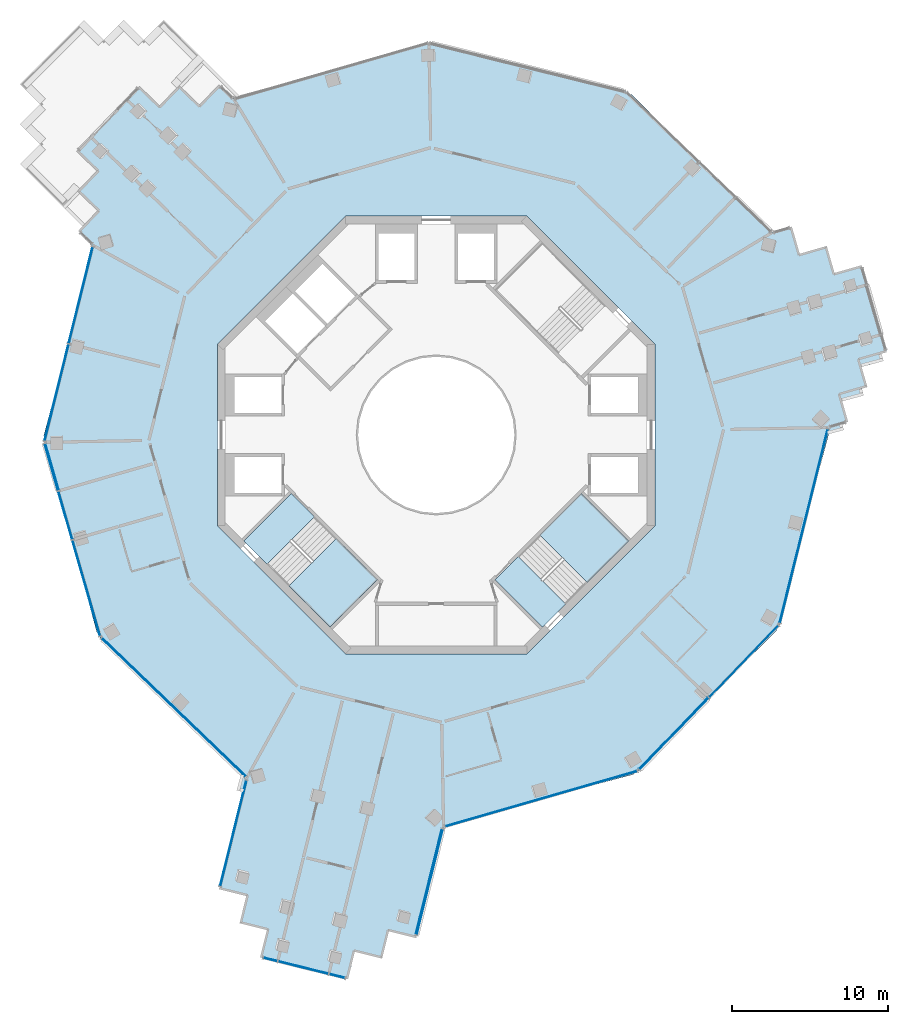
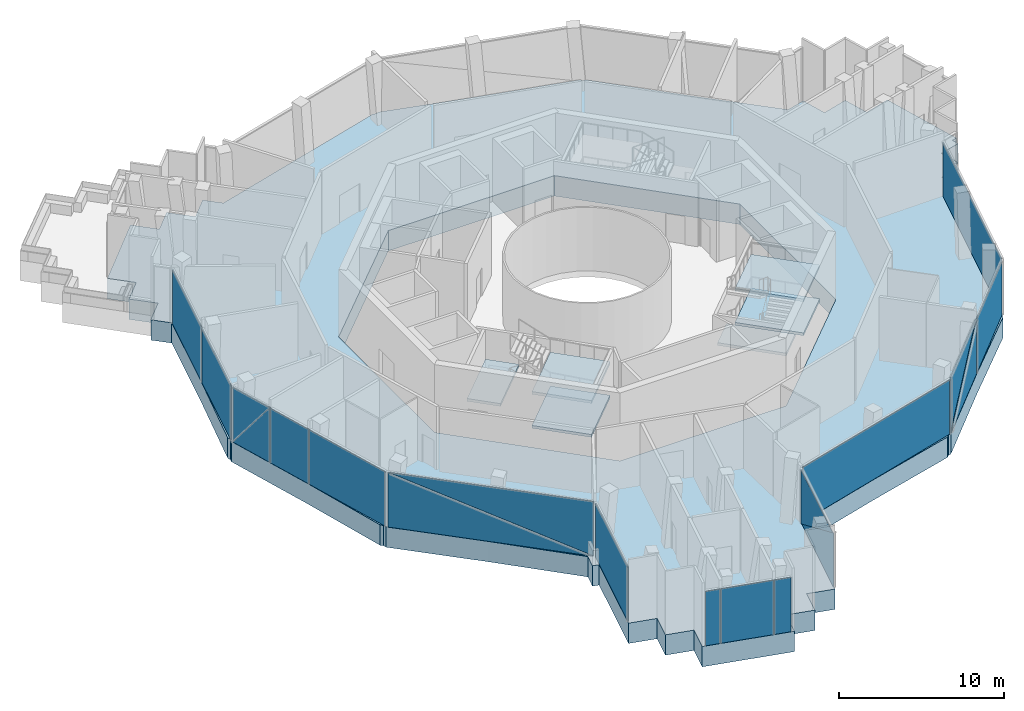
# One storey, part 6 of 17: 19 plates, 7 slabs, 11 elements without a shape of their own.
"""IFC4 building model written with IfcOpenShell, lengths in metres."""

from ifc_helpers import new_model, si_unit, direction, frame, origin, origin_2d, place, context, subcontext, project, spatial, polyline, rectangle, outline, extrude, material, layer, layer_set, type_object, element, aggregate, save


model = new_model("IFC4")

# Units and contexts
model_context = context("Model", 3, precision=1e-05, world=origin(), true_north=direction((0.0, 1.0)))
body_context = subcontext(model_context, "Body", "Model", "MODEL_VIEW")
ifc_project = project(units=[si_unit("LENGTHUNIT", "METRE"), si_unit("AREAUNIT", "SQUARE_METRE"), si_unit("VOLUMEUNIT", "CUBIC_METRE"), si_unit("PLANEANGLEUNIT", "RADIAN"), si_unit("MASSUNIT", "GRAM", prefix="KILO")], contexts=[model_context])

# Site, building, storey
site_placement = place(None, origin())
site = spatial("IfcSite", under=ifc_project, at=site_placement, CompositionType="ELEMENT")
building_placement = place(site_placement, origin())
building = spatial("IfcBuilding", under=site, at=building_placement, Name="Verdalira Terraces Hotel", CompositionType="ELEMENT")
storey_placement = place(building_placement, frame((0.0, 0.0, 222.0)))
storey = spatial("IfcBuildingStorey", under=building, at=storey_placement, Name="L54", CompositionType="ELEMENT", Elevation=222.0)

# Curtain wall, plates
ifc_material_1 = material(Name="Clear glass", Category="glass")
ifc_layer_1 = layer(ifc_material_1, 0.239990234375)
ifc_layer_set_1 = layer_set([ifc_layer_1], Name="CW5 curtain wall")
curtain_wall_type = type_object("IfcCurtainWallType", Name="CW5 curtain wall", PredefinedType="NOTDEFINED", material=ifc_layer_set_1)
curtain_wall_1_placement = place(storey_placement, origin())
curtain_wall_1 = element("IfcCurtainWall", 1, at=curtain_wall_1_placement, inside=storey, type_object=curtain_wall_type, Name="CW5 curtain wall L54 edge 11", PredefinedType="NOTDEFINED")
ifc_material_2 = material(Name="Clear glass", Category="glass")
ifc_layer_2 = layer(ifc_material_2, 0.0439453125)
ifc_layer_set_2 = layer_set([ifc_layer_2], Name="CW5 glass unit 44")
plate_type = type_object("IfcPlateType", Name="CW5 glass unit 44", PredefinedType="CURTAIN_PANEL", material=ifc_layer_set_2)
plate_1_placement = place(storey_placement, frame((-22.745361, 8.940918, 0.0), z_axis=(0.0, 0.0, 1.0), x_axis=(-0.240566872, -0.970632567, 0.0)))
plate_1 = element("IfcPlate", 2, at=plate_1_placement, type_object=plate_type, Name="CW5 glass unit", PredefinedType="CURTAIN_PANEL", context=body_context, shape_type="SweptSolid", body=[
    extrude(rectangle(XDim=6.343018, YDim=0.043945, at=origin_2d()), origin(), (0.0, 0.0, 1.0), 4.014893),
])
plate_2_placement = place(storey_placement, frame((-24.289551, 2.710449, 0.0), z_axis=(0.0, 0.0, 1.0), x_axis=(-0.240566872, -0.970632567, 0.0)))
plate_2 = element("IfcPlate", 3, at=plate_2_placement, type_object=plate_type, Name="CW5 glass unit", PredefinedType="CURTAIN_PANEL", context=body_context, shape_type="SweptSolid", body=[
    extrude(rectangle(XDim=6.354736, YDim=0.043945, at=origin_2d()), origin(), (0.0, 0.0, 1.0), 4.014893),
])
aggregate(curtain_wall_1, [plate_1, plate_2])

curtain_wall_2_placement = place(storey_placement, origin())
curtain_wall_2 = element("IfcCurtainWall", 4, at=curtain_wall_2_placement, inside=storey, type_object=curtain_wall_type, Name="CW5 curtain wall L54 edge 12", PredefinedType="NOTDEFINED")
plate_3_placement = place(storey_placement, frame((-24.599365, -2.056396, 2.007568), z_axis=(-0.960875897, -0.276979261, 0.0), x_axis=(0.276979261, -0.960875897, 0.0)))
plate_3 = element("IfcPlate", 5, at=plate_3_placement, type_object=plate_type, Name="CW5 glass unit", PredefinedType="CURTAIN_PANEL", context=body_context, shape_type="SweptSolid", body=[
    extrude(outline(polyline([(-1.552246, -2.007324), (1.552246, -2.007324), (1.552246, 2.007324), (-1.552246, -2.007324)])), origin(), (0.0, 0.0, 1.0), 0.043945),
])
plate_4_placement = place(storey_placement, frame((-24.556152, -2.043945, 2.007568), z_axis=(-0.960875897, -0.276979261, 0.0), x_axis=(0.276979261, -0.960875897, 0.0)))
plate_4 = element("IfcPlate", 6, at=plate_4_placement, type_object=plate_type, Name="CW5 glass unit", PredefinedType="CURTAIN_PANEL", context=body_context, shape_type="SweptSolid", body=[
    extrude(outline(polyline([(-1.552246, -2.007324), (1.552246, 2.007324), (-1.552246, 2.007324), (-1.552246, -2.007324)])), origin(), (0.0, 0.0, 1.0), 0.043945),
])
plate_5_placement = place(storey_placement, frame((-23.730469, -5.149414, 0.0), z_axis=(0.0, 0.0, 1.0), x_axis=(0.276979261, -0.960875897, 0.0)))
plate_5 = element("IfcPlate", 7, at=plate_5_placement, type_object=plate_type, Name="CW5 glass unit", PredefinedType="CURTAIN_PANEL", context=body_context, shape_type="SweptSolid", body=[
    extrude(rectangle(XDim=3.179932, YDim=0.043945, at=origin_2d()), origin(), (0.0, 0.0, 1.0), 4.014893),
])
plate_6_placement = place(storey_placement, frame((-22.390625, -9.797363, 0.0), z_axis=(0.0, 0.0, 1.0), x_axis=(0.276979261, -0.960875897, 0.0)))
plate_6 = element("IfcPlate", 8, at=plate_6_placement, type_object=plate_type, Name="CW5 glass unit", PredefinedType="CURTAIN_PANEL", context=body_context, shape_type="SweptSolid", body=[
    extrude(rectangle(XDim=6.354736, YDim=0.043945, at=origin_2d()), origin(), (0.0, 0.0, 1.0), 4.014893),
])
aggregate(curtain_wall_2, [plate_3, plate_4, plate_5, plate_6])

curtain_wall_3_placement = place(storey_placement, origin())
curtain_wall_3 = element("IfcCurtainWall", 9, at=curtain_wall_3_placement, inside=storey, type_object=curtain_wall_type, Name="CW5 curtain wall L54 edge 13", PredefinedType="NOTDEFINED")
plate_7_placement = place(storey_placement, frame((-16.795166, -17.431885, 2.007568), z_axis=(-0.693653306, -0.720309025, 0.0), x_axis=(0.720309025, -0.693653306, 0.0)))
plate_7 = element("IfcPlate", 10, at=plate_7_placement, type_object=plate_type, Name="CW5 glass unit", PredefinedType="CURTAIN_PANEL", context=body_context, shape_type="SweptSolid", body=[
    extrude(outline(polyline([(-6.383789, -2.007324), (6.383789, -2.007324), (-6.383789, 2.007324), (-6.383789, -2.007324)])), origin(), (0.0, 0.0, 1.0), 0.043945),
])
plate_8_placement = place(storey_placement, frame((-16.763916, -17.399658, 2.007568), z_axis=(-0.693653306, -0.720309025, 0.0), x_axis=(0.720309025, -0.693653306, 0.0)))
plate_8 = element("IfcPlate", 11, at=plate_8_placement, type_object=plate_type, Name="CW5 glass unit", PredefinedType="CURTAIN_PANEL", context=body_context, shape_type="SweptSolid", body=[
    extrude(outline(polyline([(6.383789, -2.007324), (6.383789, 2.007324), (-6.383789, 2.007324), (6.383789, -2.007324)])), origin(), (0.0, 0.0, 1.0), 0.043945),
])
aggregate(curtain_wall_3, [plate_7, plate_8])

# Curtain wall, plate
curtain_wall_4_placement = place(storey_placement, origin())
curtain_wall_4 = element("IfcCurtainWall", 12, at=curtain_wall_4_placement, inside=storey, type_object=curtain_wall_type, Name="CW5 curtain wall L54 edge 14", PredefinedType="NOTDEFINED")
plate_9_placement = place(storey_placement, frame((-12.981934, -25.483887, 0.0), z_axis=(0.0, 0.0, 1.0), x_axis=(-0.240566872, -0.970632567, 0.0)))
plate_9 = element("IfcPlate", 13, at=plate_9_placement, type_object=plate_type, Name="CW5 glass unit", PredefinedType="CURTAIN_PANEL", context=body_context, shape_type="SweptSolid", body=[
    extrude(rectangle(XDim=6.956543, YDim=0.043945, at=origin_2d()), origin(), (0.0, 0.0, 1.0), 4.014893),
])
aggregate(curtain_wall_4, [plate_9])

# Curtain wall, plates
curtain_wall_5_placement = place(storey_placement, origin())
curtain_wall_5 = element("IfcCurtainWall", 14, at=curtain_wall_5_placement, inside=storey, type_object=curtain_wall_type, Name="CW5 curtain wall L54 edge 19", PredefinedType="NOTDEFINED")
plate_10_placement = place(storey_placement, frame((-10.614258, -33.558838, 0.0), z_axis=(0.0, 0.0, 1.0), x_axis=(0.970632567, -0.240566872, 0.0)))
plate_10 = element("IfcPlate", 15, at=plate_10_placement, type_object=plate_type, Name="CW5 glass unit", PredefinedType="CURTAIN_PANEL", context=body_context, shape_type="SweptSolid", body=[
    extrude(rectangle(XDim=0.901123, YDim=0.043945, at=origin_2d()), origin(), (0.0, 0.0, 1.0), 4.014893),
])
plate_11_placement = place(storey_placement, frame((-8.51001, -34.080322, 0.0), z_axis=(0.0, 0.0, 1.0), x_axis=(0.970632567, -0.240566872, 0.0)))
plate_11 = element("IfcPlate", 16, at=plate_11_placement, type_object=plate_type, Name="CW5 glass unit", PredefinedType="CURTAIN_PANEL", context=body_context, shape_type="SweptSolid", body=[
    extrude(rectangle(XDim=3.294922, YDim=0.043945, at=origin_2d()), origin(), (0.0, 0.0, 1.0), 4.014893),
])
plate_12_placement = place(storey_placement, frame((-6.345947, -34.616699, 0.0), z_axis=(0.0, 0.0, 1.0), x_axis=(0.970632567, -0.240566872, 0.0)))
plate_12 = element("IfcPlate", 17, at=plate_12_placement, type_object=plate_type, Name="CW5 glass unit", PredefinedType="CURTAIN_PANEL", context=body_context, shape_type="SweptSolid", body=[
    extrude(rectangle(XDim=1.023926, YDim=0.043945, at=origin_2d()), origin(), (0.0, 0.0, 1.0), 4.014893),
])
aggregate(curtain_wall_5, [plate_10, plate_11, plate_12])

curtain_wall_6_placement = place(storey_placement, origin())
curtain_wall_6 = element("IfcCurtainWall", 18, at=curtain_wall_6_placement, inside=storey, type_object=curtain_wall_type, Name="CW5 curtain wall L54 edge 24", PredefinedType="NOTDEFINED")
plate_13_placement = place(storey_placement, frame((-0.443115, -28.591553, 2.007568), z_axis=(0.970632567, -0.240566872, 0.0), x_axis=(0.240566872, 0.970632567, 0.0)))
plate_13 = element("IfcPlate", 19, at=plate_13_placement, type_object=plate_type, Name="CW5 glass unit", PredefinedType="CURTAIN_PANEL", context=body_context, shape_type="SweptSolid", body=[
    extrude(outline(polyline([(-3.478271, -2.007324), (3.478271, -2.007324), (-3.478271, 2.007324), (-3.478271, -2.007324)])), origin(), (0.0, 0.0, 1.0), 0.043945),
])
plate_14_placement = place(storey_placement, frame((-0.486816, -28.580811, 2.007568), z_axis=(0.970632567, -0.240566872, 0.0), x_axis=(0.240566872, 0.970632567, 0.0)))
plate_14 = element("IfcPlate", 20, at=plate_14_placement, type_object=plate_type, Name="CW5 glass unit", PredefinedType="CURTAIN_PANEL", context=body_context, shape_type="SweptSolid", body=[
    extrude(outline(polyline([(3.478271, -2.007324), (3.478271, 2.007324), (-3.478271, 2.007324), (3.478271, -2.007324)])), origin(), (0.0, 0.0, 1.0), 0.043945),
])
aggregate(curtain_wall_6, [plate_13, plate_14])

# Curtain wall, plate
curtain_wall_7_placement = place(storey_placement, origin())
curtain_wall_7 = element("IfcCurtainWall", 21, at=curtain_wall_7_placement, inside=storey, type_object=curtain_wall_type, Name="CW5 curtain wall L54 edge 25", PredefinedType="NOTDEFINED")
plate_15_placement = place(storey_placement, frame((6.716309, -23.278809, 0.0), z_axis=(0.0, 0.0, 1.0), x_axis=(0.960875897, 0.276979261, 0.0)))
plate_15 = element("IfcPlate", 22, at=plate_15_placement, type_object=plate_type, Name="CW5 glass unit", PredefinedType="CURTAIN_PANEL", context=body_context, shape_type="SweptSolid", body=[
    extrude(rectangle(XDim=12.767822, YDim=0.043945, at=origin_2d()), origin(), (0.0, 0.0, 1.0), 4.014893),
])
aggregate(curtain_wall_7, [plate_15])

# Curtain wall, plates
curtain_wall_8_placement = place(storey_placement, origin())
curtain_wall_8 = element("IfcCurtainWall", 23, at=curtain_wall_8_placement, inside=storey, type_object=curtain_wall_type, Name="CW5 curtain wall L54 edge 26", PredefinedType="NOTDEFINED")
plate_16_placement = place(storey_placement, frame((15.207764, -19.104736, 2.007568), z_axis=(0.720309025, -0.693653306, 0.0), x_axis=(0.693653306, 0.720309025, 0.0)))
plate_16 = element("IfcPlate", 24, at=plate_16_placement, type_object=plate_type, Name="CW5 glass unit", PredefinedType="CURTAIN_PANEL", context=body_context, shape_type="SweptSolid", body=[
    extrude(outline(polyline([(-3.177246, -2.007324), (3.177246, -2.007324), (3.177246, 2.007324), (-3.177246, -2.007324)])), origin(), (0.0, 0.0, 1.0), 0.043945),
])
plate_17_placement = place(storey_placement, frame((15.175537, -19.073486, 2.007568), z_axis=(0.720309025, -0.693653306, 0.0), x_axis=(0.693653306, 0.720309025, 0.0)))
plate_17 = element("IfcPlate", 25, at=plate_17_placement, type_object=plate_type, Name="CW5 glass unit", PredefinedType="CURTAIN_PANEL", context=body_context, shape_type="SweptSolid", body=[
    extrude(outline(polyline([(-3.177246, -2.007324), (3.177246, 2.007324), (-3.177246, 2.007324), (-3.177246, -2.007324)])), origin(), (0.0, 0.0, 1.0), 0.043945),
])
plate_18_placement = place(storey_placement, frame((19.680176, -14.492188, 0.0), z_axis=(0.0, 0.0, 1.0), x_axis=(0.693653306, 0.720309025, 0.0)))
plate_18 = element("IfcPlate", 26, at=plate_18_placement, type_object=plate_type, Name="CW5 glass unit", PredefinedType="CURTAIN_PANEL", context=body_context, shape_type="SweptSolid", body=[
    extrude(rectangle(XDim=6.354736, YDim=0.043945, at=origin_2d()), origin(), (0.0, 0.0, 1.0), 4.014893),
])
aggregate(curtain_wall_8, [plate_16, plate_17, plate_18])

# Curtain wall, plate
curtain_wall_9_placement = place(storey_placement, origin())
curtain_wall_9 = element("IfcCurtainWall", 27, at=curtain_wall_9_placement, inside=storey, type_object=curtain_wall_type, Name="CW5 curtain wall L54 edge 27", PredefinedType="NOTDEFINED")
plate_19_placement = place(storey_placement, frame((23.515381, -5.834229, 0.0), z_axis=(0.0, 0.0, 1.0), x_axis=(0.240566872, 0.970632567, 0.0)))
plate_19 = element("IfcPlate", 28, at=plate_19_placement, type_object=plate_type, Name="CW5 glass unit", PredefinedType="CURTAIN_PANEL", context=body_context, shape_type="SweptSolid", body=[
    extrude(rectangle(XDim=12.767822, YDim=0.043945, at=origin_2d()), origin(), (0.0, 0.0, 1.0), 4.014893),
])
aggregate(curtain_wall_9, [plate_19])

# Stair, slabs
ifc_material_3 = material(Name="Concrete C40", Category="concrete")
stair_type = type_object("IfcStairType", Name="Core stair 32 risers 2100 mm wide", PredefinedType="HALF_TURN_STAIR", material=ifc_material_3)
stair_1_placement = place(storey_placement, origin())
stair_1 = element("IfcStair", 29, at=stair_1_placement, inside=storey, type_object=stair_type, Name="L54 Exit stair ST2", PredefinedType="HALF_TURN_STAIR")
ifc_material_4 = material(Name="Concrete C40", Category="concrete")
ifc_layer_3 = layer(ifc_material_4, 0.199951171875)
ifc_layer_set_3 = layer_set([ifc_layer_3], Name="Core stair landing 200 mm")
slab_type_1 = type_object("IfcSlabType", Name="Core stair landing 200 mm", PredefinedType="LANDING", material=ifc_layer_set_3)
slab_1_placement = place(storey_placement, frame((0.0, 0.0, 1.050049)))
slab_1 = element("IfcSlab", 30, at=slab_1_placement, type_object=slab_type_1, Name="ST2 landing 1", PredefinedType="LANDING", context=body_context, shape_type="SweptSolid", body=[
    extrude(outline(polyline([(-9.433105, -9.658691), (-6.78833, -12.303711), (-3.747559, -9.263184), (-6.392578, -6.618164), (-9.433105, -9.658691)])), origin(), (0.0, 0.0, 1.0), 0.199951),
])
slab_2_placement = place(storey_placement, frame((0.0, 0.0, 2.300049)))
slab_2 = element("IfcSlab", 31, at=slab_2_placement, type_object=slab_type_1, Name="ST2 landing 2", PredefinedType="LANDING", context=body_context, shape_type="SweptSolid", body=[
    extrude(outline(polyline([(-12.303711, -6.78833), (-10.818359, -8.273438), (-7.777832, -5.23291), (-9.263184, -3.747559), (-12.303711, -6.78833)])), origin(), (0.0, 0.0, 1.0), 0.199951),
])
slab_3_placement = place(storey_placement, frame((0.0, 0.0, 3.550049)))
slab_3 = element("IfcSlab", 32, at=slab_3_placement, type_object=slab_type_1, Name="ST2 landing 3", PredefinedType="LANDING", context=body_context, shape_type="SweptSolid", body=[
    extrude(outline(polyline([(-9.433105, -9.658691), (-6.78833, -12.303711), (-3.747559, -9.263184), (-6.392578, -6.618164), (-9.433105, -9.658691)])), origin(), (0.0, 0.0, 1.0), 0.199951),
])
aggregate(stair_1, [slab_1, slab_2, slab_3])

stair_2_placement = place(storey_placement, origin())
stair_2 = element("IfcStair", 33, at=stair_2_placement, inside=storey, type_object=stair_type, Name="L54 Exit stair ST3", PredefinedType="HALF_TURN_STAIR")
slab_4_placement = place(storey_placement, frame((0.0, 0.0, 1.050049)))
slab_4 = element("IfcSlab", 34, at=slab_4_placement, type_object=slab_type_1, Name="ST3 landing 1", PredefinedType="LANDING", context=body_context, shape_type="SweptSolid", body=[
    extrude(outline(polyline([(9.658691, -9.433105), (12.303711, -6.78833), (9.263184, -3.747559), (6.618164, -6.392578), (9.658691, -9.433105)])), origin(), (0.0, 0.0, 1.0), 0.199951),
])
slab_5_placement = place(storey_placement, frame((0.0, 0.0, 2.300049)))
slab_5 = element("IfcSlab", 35, at=slab_5_placement, type_object=slab_type_1, Name="ST3 landing 2", PredefinedType="LANDING", context=body_context, shape_type="SweptSolid", body=[
    extrude(outline(polyline([(6.78833, -12.303711), (8.273438, -10.818359), (5.23291, -7.777832), (3.747559, -9.263184), (6.78833, -12.303711)])), origin(), (0.0, 0.0, 1.0), 0.199951),
])
slab_6_placement = place(storey_placement, frame((0.0, 0.0, 3.550049)))
slab_6 = element("IfcSlab", 36, at=slab_6_placement, type_object=slab_type_1, Name="ST3 landing 3", PredefinedType="LANDING", context=body_context, shape_type="SweptSolid", body=[
    extrude(outline(polyline([(9.658691, -9.433105), (12.303711, -6.78833), (9.263184, -3.747559), (6.618164, -6.392578), (9.658691, -9.433105)])), origin(), (0.0, 0.0, 1.0), 0.199951),
])
aggregate(stair_2, [slab_4, slab_5, slab_6])

# Slab
ifc_material_5 = material(Name="Concrete C60", Category="concrete")
ifc_layer_4 = layer(ifc_material_5, 1.5)
ifc_layer_set_4 = layer_set([ifc_layer_4], Name="Transfer slab 1500 C60")
slab_type_2 = type_object("IfcSlabType", Name="Transfer slab 1500 C60", PredefinedType="FLOOR", material=ifc_layer_set_4)
slab_7_placement = place(storey_placement, frame((0.0, 0.0, -1.5)))
element("IfcSlab", 37, at=slab_7_placement, inside=storey, type_object=slab_type_2, Name="Transfer slab TS-54", PredefinedType="FLOOR", context=body_context, shape_type="SweptSolid", body=[
    extrude(outline(polyline([(-22.621582, 13.353027), (-22.91748, 13.04541), (-21.982178, 12.14502), (-23.49707, 6.032959), (-25.114014, -0.05249), (-25.057373, -0.262451), (-25.109619, -0.473389), (-23.365479, -6.523682), (-21.723145, -12.602539), (-21.569092, -12.755859), (-21.508789, -12.9646), (-16.973389, -17.33252), (-12.511475, -21.775635), (-12.768311, -22.742188), (-12.360107, -22.850586), (-13.900635, -29.066406), (-12.153564, -29.499512), (-12.586426, -31.246582), (-10.839355, -31.679443), (-11.272461, -33.426758), (-5.642578, -34.822021), (-5.209717, -33.074707), (-3.462646, -33.507812), (-3.029541, -31.760742), (-1.282471, -32.193604), (0.473389, -25.109619), (6.523682, -23.365479), (12.602539, -21.723145), (12.755859, -21.569092), (12.9646, -21.508789), (17.33252, -16.973389), (21.775635, -12.511475), (21.831543, -12.301514), (21.982178, -12.14502), (23.49707, -6.032959), (25.114014, 0.05249), (26.079346, 0.313477), (25.969238, 0.721191), (26.357422, 0.833008), (25.977539, 2.150391), (27.347656, 2.520508), (27.229492, 2.957764), (27.588379, 3.061035), (27.216797, 4.349854), (28.615723, 4.727783), (28.489746, 5.194336), (28.819336, 5.289307), (27.212891, 10.862305), (25.483154, 10.36377), (24.984619, 12.093506), (23.255127, 11.594727), (22.756592, 13.324463), (21.508789, 12.9646), (16.973389, 17.33252), (12.511475, 21.775635), (12.301514, 21.831543), (12.14502, 21.982178), (6.032959, 23.49707), (-0.05249, 25.114014), (-0.262451, 25.057373), (-0.473389, 25.109619), (-6.521484, 23.366211), (-6.52124, 23.365723), (-12.964844, 21.508301), (-13.899902, 22.408936), (-15.148682, 21.112305), (-16.445312, 22.36084), (-17.693604, 21.064209), (-18.990234, 22.312988), (-23.012695, 18.135742), (-21.716309, 16.887207), (-22.964844, 15.59082), (-21.668213, 14.342041), (-22.621094, 13.352539), (-22.621582, 13.353027)]), holes=[polyline([(5.799072, 14.0), (14.0, 5.799072), (14.0, -5.799072), (5.799072, -14.0), (-5.799072, -14.0), (-14.0, -5.799072), (-14.0, 5.799072), (-5.799072, 14.0), (5.799072, 14.0)])]), origin(), (0.0, 0.0, 1.0), 1.5),
])

save(model, "model.ifc")
